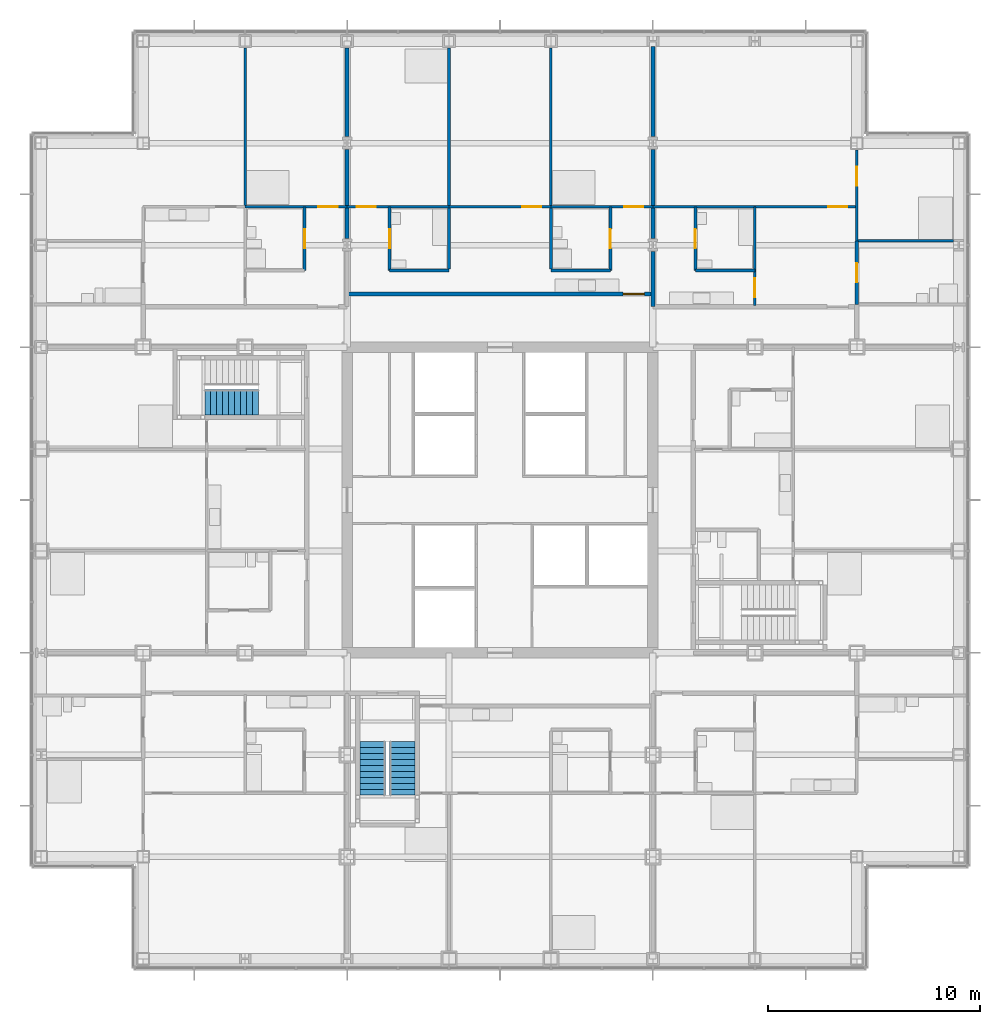
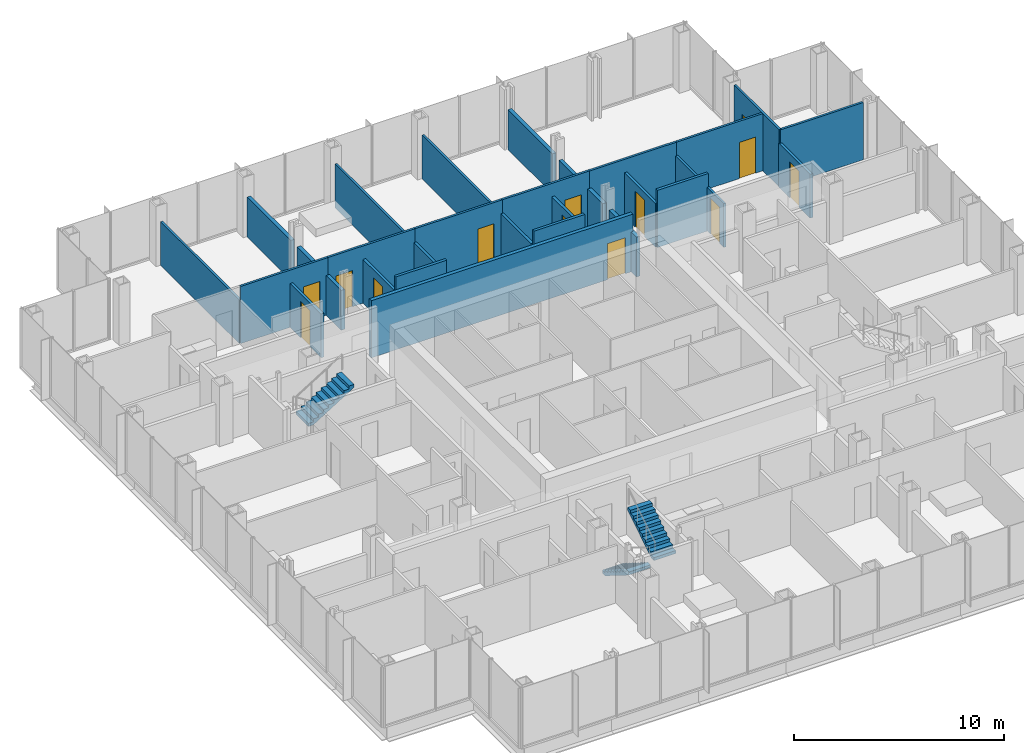
# One storey, part 17 of 21: 28 walls, 13 doors, 3 stair flights, 13 openings, 2 elements without a shape of their own.
"""IFC4 building model written with IfcOpenShell, lengths in metres."""

import ifcopenshell
import ifcopenshell.guid

model = None  # the IFC model being written
_history = None  # IfcOwnerHistory: only IFC2X3 demands one
_inside = {}  # id of a spatial element -> (the spatial element, [elements in it])
_under = {}  # id of a project, library or spatial element -> (it, [spatial elements below it])
_declared = {}  # id of a project -> (the project, [libraries it declares])
_typed = {}  # id of a type object -> (the type object, [elements of that type])
_made_of = {}  # id of a material, layer set ... -> (it, [elements and type objects made of it])


def new_model(schema):
    """Start an empty IFC model of exactly this schema.

    Asked for "IFC4X3", IfcOpenShell would pick the latest addendum, in which some entities
    have other attributes; the version numbers below select the first issue.
    IFC2X3 requires an IfcOwnerHistory on every rooted entity: one is made here for all.
    """
    global model, _history
    if schema == "IFC4X3":
        model = ifcopenshell.file(schema_version=(4, 3, 0, 0))
    else:
        model = ifcopenshell.file(schema=schema)
    _inside.clear()
    _under.clear()
    _declared.clear()
    _typed.clear()
    _made_of.clear()
    _history = None
    if model.schema == "IFC2X3":
        org = make("IfcOrganization", Name="unknown")
        user = make(
            "IfcPersonAndOrganization",
            ThePerson=make("IfcPerson", FamilyName="unknown"),
            TheOrganization=org,
        )
        app = make(
            "IfcApplication",
            ApplicationDeveloper=org,
            Version="unknown",
            ApplicationFullName="unknown",
            ApplicationIdentifier="unknown",
        )
        _history = make(
            "IfcOwnerHistory",
            OwningUser=user,
            OwningApplication=app,
            ChangeAction="ADDED",
            CreationDate=0,
        )
    return model


def make(cls, **values):
    """One entity of the class cls with the attributes given. An attribute that is None is left unset."""
    return model.create_entity(
        cls, **{name: value for name, value in values.items() if value is not None}
    )


def rooted(cls, **values):
    """An entity with a GlobalId (a new one), such as an element, a storey or a relation."""
    return make(cls, GlobalId=ifcopenshell.guid.new(), OwnerHistory=_history, **values)


def si_unit(unit_type, name, prefix=None):
    """IfcSIUnit, for example si_unit("LENGTHUNIT", "METRE", prefix="MILLI")."""
    return make("IfcSIUnit", UnitType=unit_type, Prefix=prefix, Name=name)


def assignment(units):
    """IfcUnitAssignment: the units of a project."""
    return None if units is None else make("IfcUnitAssignment", Units=units)


def point(xyz):
    """IfcCartesianPoint."""
    return None if xyz is None else make("IfcCartesianPoint", Coordinates=xyz)


def direction(xyz):
    """IfcDirection."""
    return None if xyz is None else make("IfcDirection", DirectionRatios=xyz)


def frame(location, z_axis=None, x_axis=None):
    """IfcAxis2Placement3D, a coordinate frame: its origin and axes. An axis left out is left unset."""
    return make(
        "IfcAxis2Placement3D",
        Location=point(location),
        Axis=direction(z_axis),
        RefDirection=direction(x_axis),
    )


def frame_2d(location, x_axis=None):
    """IfcAxis2Placement2D, a coordinate frame in the plane: its origin and x axis."""
    return make(
        "IfcAxis2Placement2D", Location=point(location), RefDirection=direction(x_axis)
    )


def origin():
    """The frame at (0, 0, 0) with its axes left unset."""
    return frame((0.0, 0.0, 0.0))


def place(relative_to, where):
    """IfcLocalPlacement: puts the frame where relative to a parent placement (None: the world)."""
    return make(
        "IfcLocalPlacement", PlacementRelTo=relative_to, RelativePlacement=where
    )


def context(
    kind, dimensions, precision=None, world=None, true_north=None, identifier=None
):
    """IfcGeometricRepresentationContext, for example the 3D "Model" context."""
    return make(
        "IfcGeometricRepresentationContext",
        ContextIdentifier=identifier,
        ContextType=kind,
        CoordinateSpaceDimension=dimensions,
        Precision=precision,
        WorldCoordinateSystem=world,
        TrueNorth=true_north,
    )


def subcontext(parent, identifier, kind, view, scale=None):
    """IfcGeometricRepresentationSubContext, for example "Body" below "Model"."""
    return make(
        "IfcGeometricRepresentationSubContext",
        ContextIdentifier=identifier,
        ContextType=kind,
        ParentContext=parent,
        TargetScale=scale,
        TargetView=view,
    )


def project(units=None, contexts=None):
    """IfcProject with its units and contexts."""
    return rooted(
        "IfcProject",
        Name="project",
        RepresentationContexts=contexts,
        UnitsInContext=assignment(units),
    )


def spatial(cls, under=None, at=None, **own):
    """A site, building, storey or space (cls), placed at a placement, below another one or the project."""
    s = rooted(cls, ObjectPlacement=at, **own)
    if under is not None:
        _under.setdefault(under.id(), (under, []))[1].append(s)
    return s


def polyline(points):
    """IfcPolyline through the points."""
    return make("IfcPolyline", Points=[point(p) for p in points])


def profile(cls, at=None, kind="AREA", **sizes):
    """A parametric profile (cls). Its sizes go by their IFC names, for example OverallWidth=200.0."""
    return make(cls, ProfileType=kind, Position=at, **sizes)


def rectangle(**sizes):
    """IfcRectangleProfileDef."""
    return profile("IfcRectangleProfileDef", **sizes)


def outline(outer, holes=None, kind="AREA"):
    """IfcArbitraryClosedProfileDef: a profile drawn as a closed curve; with holes, ...WithVoids."""
    if holes is None:
        return make("IfcArbitraryClosedProfileDef", ProfileType=kind, OuterCurve=outer)
    return make(
        "IfcArbitraryProfileDefWithVoids",
        ProfileType=kind,
        OuterCurve=outer,
        InnerCurves=holes,
    )


def extrude(swept, where, along, depth):
    """IfcExtrudedAreaSolid: the profile swept, set in the frame where, extruded along a direction by depth."""
    return make(
        "IfcExtrudedAreaSolid",
        SweptArea=swept,
        Position=where,
        ExtrudedDirection=direction(along),
        Depth=depth,
    )


def shape(context_of_items, identifier, shape_type, items):
    """IfcShapeRepresentation: the items that make up one representation, for example the "Body"."""
    return make(
        "IfcShapeRepresentation",
        ContextOfItems=context_of_items,
        RepresentationIdentifier=identifier,
        RepresentationType=shape_type,
        Items=items,
    )


def material(Name=None, Category=None):
    """IfcMaterial."""
    return make("IfcMaterial", Name=Name, Category=Category)


def layer(
    of_material, thickness, ventilated=None, Name=None, Category=None, Priority=None
):
    """IfcMaterialLayer: one layer of a wall or slab, of a material (None: an air gap)."""
    return make(
        "IfcMaterialLayer",
        Material=of_material,
        LayerThickness=thickness,
        IsVentilated=ventilated,
        Name=Name,
        Category=Category,
        Priority=Priority,
    )


def layer_set(layers, Name=None):
    """IfcMaterialLayerSet."""
    return make("IfcMaterialLayerSet", MaterialLayers=layers, LayerSetName=Name)


def made_of(thing, what):
    """Note that an element or type object is made of a material, layer set ...; save() writes the relation."""
    if what is not None:
        _made_of.setdefault(what.id(), (what, []))[1].append(thing)
    return thing


def type_object(cls, material=None, **own):
    """A type object (cls), such as IfcWallType, which elements share."""
    return made_of(rooted(cls, **own), material)


def element(
    cls,
    number,
    at=None,
    inside=None,
    cuts=None,
    type_object=None,
    material=None,
    context=None,
    identifier="Body",
    shape_type=None,
    held_by="IfcProductDefinitionShape",
    body=None,
    shapes=None,
    **own,
):
    """One element of the class cls, such as IfcWall. Its Tag is "e" and its number.

    at: its placement. inside: the storey or other place that contains it. cuts: it is an
    opening in that element (IfcRelVoidsElement). A single representation is given by context,
    identifier, shape_type and body (its items); several are given by shapes. held_by: the class
    of the entity that holds the representations. save() writes the other relations.
    """
    e = rooted(cls, Tag="e%d" % number, ObjectPlacement=at, **own)
    if body is not None:
        shapes = [shape(context, identifier, shape_type, body)]
    if shapes is not None:
        e.Representation = make(held_by, Representations=shapes)
    if inside is not None:
        _inside.setdefault(inside.id(), (inside, []))[1].append(e)
    if cuts is not None:
        rooted(
            "IfcRelVoidsElement", RelatingBuildingElement=cuts, RelatedOpeningElement=e
        )
    if type_object is not None:
        _typed.setdefault(type_object.id(), (type_object, []))[1].append(e)
    return made_of(e, material)


def fill(opening, filler):
    """IfcRelFillsElement: the door or window that sits in an opening."""
    return rooted(
        "IfcRelFillsElement",
        RelatingOpeningElement=opening,
        RelatedBuildingElement=filler,
    )


def aggregate(whole, parts):
    """IfcRelAggregates: a whole, such as a stair, and the parts it consists of."""
    return rooted("IfcRelAggregates", RelatingObject=whole, RelatedObjects=parts)


def save(model, path):
    """Write the relations noted so far, then the file.

    IfcRelAggregates (storeys below a building ...), IfcRelContainedInSpatialStructure (elements
    in a storey), IfcRelDefinesByType, IfcRelAssociatesMaterial and IfcRelDeclares: one each for
    every whole, place, type object, material and project.
    """
    for whole, parts in _under.values():
        aggregate(whole, parts)
    for where, things in _inside.values():
        rooted(
            "IfcRelContainedInSpatialStructure",
            RelatedElements=things,
            RelatingStructure=where,
        )
    for kind, things in _typed.values():
        rooted("IfcRelDefinesByType", RelatedObjects=things, RelatingType=kind)
    for what, things in _made_of.values():
        rooted("IfcRelAssociatesMaterial", RelatedObjects=things, RelatingMaterial=what)
    for by, libraries in _declared.values():
        rooted("IfcRelDeclares", RelatingContext=by, RelatedDefinitions=libraries)
    model.write(path)


model = new_model("IFC4")

# Units and contexts
model_context = context("Model", 3, precision=1e-05, world=origin(), true_north=direction((0.0, 1.0)))
body_context = subcontext(model_context, "Body", "Model", "MODEL_VIEW")
ifc_project = project(units=[si_unit("LENGTHUNIT", "METRE"), si_unit("AREAUNIT", "SQUARE_METRE"), si_unit("VOLUMEUNIT", "CUBIC_METRE"), si_unit("PLANEANGLEUNIT", "RADIAN"), si_unit("MASSUNIT", "GRAM", prefix="KILO")], contexts=[model_context])

# Site, building, storey
site_placement = place(None, origin())
site = spatial("IfcSite", under=ifc_project, at=site_placement, CompositionType="ELEMENT")
building_placement = place(site_placement, origin())
building = spatial("IfcBuilding", under=site, at=building_placement, Name="Kvirike Care Tower", CompositionType="ELEMENT")
storey_placement = place(building_placement, frame((0.0, 0.0, 58.5)))
storey = spatial("IfcBuildingStorey", under=building, at=storey_placement, Name="L15", CompositionType="ELEMENT", Elevation=58.5)

# Wall, opening, door
ifc_material_1 = material(Name="Moisture-resistant board partition", Category="gypsum")
ifc_layer_1 = layer(ifc_material_1, 0.14990234375)
ifc_layer_set_1 = layer_set([ifc_layer_1], Name="BATHROOM WALL 150")
wall_type_1 = type_object("IfcWallType", Name="BATHROOM WALL 150", PredefinedType="PARTITIONING", material=ifc_layer_set_1)
wall_1_placement = place(storey_placement, frame((12.39990234375, 49.800048828125, 0.0), z_axis=(0.0, 0.0, 1.0), x_axis=(0.0, -1.0, 0.0)))
wall_1 = element("IfcWall", 1, at=wall_1_placement, inside=storey, type_object=wall_type_1, Name="Bathroom Wall 150 L15", PredefinedType="PARTITIONING", context=body_context, shape_type="SweptSolid", body=[
    extrude(rectangle(XDim=3.0, YDim=0.14990234375, at=frame_2d((1.5, 0.0))), origin(), (0.0, 0.0, 1.0), 2.550048828125),
])
opening_1_placement = place(wall_1_placement, frame((1.050048828125, 0.0, 0.0)))
opening_1 = element("IfcOpeningElement", 2, at=opening_1_placement, cuts=wall_1, Name="Opening 15-015", PredefinedType="OPENING", context=body_context, shape_type="SweptSolid", body=[
    extrude(rectangle(XDim=0.89990234375, YDim=2.10009765625, at=frame_2d((0.449951171875, 1.050048828125))), frame((0.0, 0.08544921875, 0.0), z_axis=(0.0, -1.0, 0.0), x_axis=(1.0, 0.0, 0.0)), (0.0, 0.0, 1.0), 0.1708984375),
])
ifc_material_2 = material(Name="Timber door set", Category="wood")
door_type_1 = type_object("IfcDoorType", Name="BATHROOM DOOR 900", OperationType="SINGLE_SWING_RIGHT", PredefinedType="DOOR", material=ifc_material_2)
door_1_placement = place(opening_1_placement, frame((0.89990234375, 0.0, 0.0), z_axis=(0.0, 0.0, 1.0), x_axis=(-1.0, 0.0, 0.0)))
door_1 = element("IfcDoor", 3, at=door_1_placement, inside=storey, type_object=door_type_1, Name="Shower room door", OperationType="SINGLE_SWING_LEFT", OverallHeight=2.10009765625, OverallWidth=0.89990234375, PredefinedType="DOOR", context=body_context, shape_type="SweptSolid", body=[
    extrude(rectangle(XDim=0.89990234375, YDim=2.10009765625, at=frame_2d((0.449951171875, 1.050048828125))), frame((0.0, 0.02197265625, 0.0), z_axis=(0.0, -1.0, 0.0), x_axis=(1.0, 0.0, 0.0)), (0.0, 0.0, 1.0), 0.0439453125),
])
fill(opening_1, door_1)

wall_2_placement = place(storey_placement, frame((26.800048828125, 49.800048828125, 0.0), z_axis=(0.0, 0.0, 1.0), x_axis=(0.0, -1.0, 0.0)))
wall_2 = element("IfcWall", 4, at=wall_2_placement, inside=storey, type_object=wall_type_1, Name="Bathroom Wall 150 L15", PredefinedType="PARTITIONING", context=body_context, shape_type="SweptSolid", body=[
    extrude(rectangle(XDim=3.0, YDim=0.14990234375, at=frame_2d((1.5, 0.0))), origin(), (0.0, 0.0, 1.0), 2.550048828125),
])
opening_2_placement = place(wall_2_placement, frame((1.050048828125, 0.0, 0.0)))
opening_2 = element("IfcOpeningElement", 5, at=opening_2_placement, cuts=wall_2, Name="Opening 15-027", PredefinedType="OPENING", context=body_context, shape_type="SweptSolid", body=[
    extrude(rectangle(XDim=0.89990234375, YDim=2.10009765625, at=frame_2d((0.449951171875, 1.050048828125))), frame((0.0, 0.08544921875, 0.0), z_axis=(0.0, -1.0, 0.0), x_axis=(1.0, 0.0, 0.0)), (0.0, 0.0, 1.0), 0.1708984375),
])
door_2_placement = place(opening_2_placement, frame((0.89990234375, 0.0, 0.0), z_axis=(0.0, 0.0, 1.0), x_axis=(-1.0, 0.0, 0.0)))
door_2 = element("IfcDoor", 6, at=door_2_placement, inside=storey, type_object=door_type_1, Name="Shower room door", OperationType="SINGLE_SWING_RIGHT", OverallHeight=2.10009765625, OverallWidth=0.89990234375, PredefinedType="DOOR", context=body_context, shape_type="SweptSolid", body=[
    extrude(rectangle(XDim=0.89990234375, YDim=2.10009765625, at=frame_2d((0.449951171875, 1.050048828125))), frame((0.0, 0.02197265625, 0.0), z_axis=(0.0, -1.0, 0.0), x_axis=(1.0, 0.0, 0.0)), (0.0, 0.0, 1.0), 0.0439453125),
])
fill(opening_2, door_2)

# Wall
wall_3_placement = place(storey_placement, frame((26.800048828125, 46.800048828125, 0.0), z_axis=(0.0, 0.0, 1.0), x_axis=(-1.0, 0.0, 0.0)))
element("IfcWall", 7, at=wall_3_placement, inside=storey, type_object=wall_type_1, Name="Bathroom Wall 150 L15", PredefinedType="PARTITIONING", context=body_context, shape_type="SweptSolid", body=[
    extrude(rectangle(XDim=2.800048828125, YDim=0.14990234375, at=frame_2d((1.39990234375, 0.0))), origin(), (0.0, 0.0, 1.0), 3.330078125),
])

# Wall, opening, door
wall_4_placement = place(storey_placement, frame((16.39990234375, 49.800048828125, 0.0), z_axis=(0.0, 0.0, 1.0), x_axis=(0.0, -1.0, 0.0)))
wall_4 = element("IfcWall", 8, at=wall_4_placement, inside=storey, type_object=wall_type_1, Name="Bathroom Wall 150 L15", PredefinedType="PARTITIONING", context=body_context, shape_type="SweptSolid", body=[
    extrude(rectangle(XDim=3.0, YDim=0.14990234375, at=frame_2d((1.5, 0.0))), origin(), (0.0, 0.0, 1.0), 2.550048828125),
])
opening_3_placement = place(wall_4_placement, frame((1.050048828125, 0.0, 0.0)))
opening_3 = element("IfcOpeningElement", 9, at=opening_3_placement, cuts=wall_4, Name="Opening 15-028", PredefinedType="OPENING", context=body_context, shape_type="SweptSolid", body=[
    extrude(rectangle(XDim=0.89990234375, YDim=2.10009765625, at=frame_2d((0.449951171875, 1.050048828125))), frame((0.0, 0.08544921875, 0.0), z_axis=(0.0, -1.0, 0.0), x_axis=(1.0, 0.0, 0.0)), (0.0, 0.0, 1.0), 0.1708984375),
])
door_3_placement = place(opening_3_placement, origin())
door_3 = element("IfcDoor", 10, at=door_3_placement, inside=storey, type_object=door_type_1, Name="Bathroom door", OperationType="SINGLE_SWING_RIGHT", OverallHeight=2.10009765625, OverallWidth=0.89990234375, PredefinedType="DOOR", context=body_context, shape_type="SweptSolid", body=[
    extrude(rectangle(XDim=0.89990234375, YDim=2.10009765625, at=frame_2d((0.449951171875, 1.050048828125))), frame((0.0, 0.02197265625, 0.0), z_axis=(0.0, -1.0, 0.0), x_axis=(1.0, 0.0, 0.0)), (0.0, 0.0, 1.0), 0.0439453125),
])
fill(opening_3, door_3)

# Wall
wall_5_placement = place(storey_placement, frame((19.199951171875, 46.800048828125, 0.0), z_axis=(0.0, 0.0, 1.0), x_axis=(-1.0, 0.0, 0.0)))
element("IfcWall", 11, at=wall_5_placement, inside=storey, type_object=wall_type_1, Name="Bathroom Wall 150 L15", PredefinedType="PARTITIONING", context=body_context, shape_type="SweptSolid", body=[
    extrude(rectangle(XDim=2.800048828125, YDim=0.14990234375, at=frame_2d((1.39990234375, 0.0))), origin(), (0.0, 0.0, 1.0), 3.330078125),
])

# Wall, opening, door
wall_6_placement = place(storey_placement, frame((38.39990234375, 48.199951171875, 0.0), z_axis=(0.0, 0.0, 1.0), x_axis=(0.0, -1.0, 0.0)))
wall_6 = element("IfcWall", 12, at=wall_6_placement, inside=storey, type_object=wall_type_1, Name="Bathroom Wall 150 L15", PredefinedType="PARTITIONING", context=body_context, shape_type="SweptSolid", body=[
    extrude(rectangle(XDim=3.0, YDim=0.14990234375, at=frame_2d((1.5, 0.0))), origin(), (0.0, 0.0, 1.0), 2.550048828125),
])
opening_4_placement = place(wall_6_placement, frame((1.050048828125, 0.0, 0.0)))
opening_4 = element("IfcOpeningElement", 13, at=opening_4_placement, cuts=wall_6, Name="Opening 15-047", PredefinedType="OPENING", context=body_context, shape_type="SweptSolid", body=[
    extrude(rectangle(XDim=0.89990234375, YDim=2.10009765625, at=frame_2d((0.449951171875, 1.050048828125))), frame((0.0, 0.08544921875, 0.0), z_axis=(0.0, -1.0, 0.0), x_axis=(1.0, 0.0, 0.0)), (0.0, 0.0, 1.0), 0.1708984375),
])
door_4_placement = place(opening_4_placement, origin())
door_4 = element("IfcDoor", 14, at=door_4_placement, inside=storey, type_object=door_type_1, Name="Shower room door", OperationType="SINGLE_SWING_LEFT", OverallHeight=2.10009765625, OverallWidth=0.89990234375, PredefinedType="DOOR", context=body_context, shape_type="SweptSolid", body=[
    extrude(rectangle(XDim=0.89990234375, YDim=2.10009765625, at=frame_2d((0.449951171875, 1.050048828125))), frame((0.0, 0.02197265625, 0.0), z_axis=(0.0, -1.0, 0.0), x_axis=(1.0, 0.0, 0.0)), (0.0, 0.0, 1.0), 0.0439453125),
])
fill(opening_4, door_4)

wall_7_placement = place(storey_placement, frame((30.800048828125, 49.800048828125, 0.0), z_axis=(0.0, 0.0, 1.0), x_axis=(0.0, -1.0, 0.0)))
wall_7 = element("IfcWall", 15, at=wall_7_placement, inside=storey, type_object=wall_type_1, Name="Bathroom Wall 150 L15", PredefinedType="PARTITIONING", context=body_context, shape_type="SweptSolid", body=[
    extrude(rectangle(XDim=3.0, YDim=0.14990234375, at=frame_2d((1.5, 0.0))), origin(), (0.0, 0.0, 1.0), 2.550048828125),
])
opening_5_placement = place(wall_7_placement, frame((1.050048828125, 0.0, 0.0)))
opening_5 = element("IfcOpeningElement", 16, at=opening_5_placement, cuts=wall_7, Name="Opening 15-048", PredefinedType="OPENING", context=body_context, shape_type="SweptSolid", body=[
    extrude(rectangle(XDim=0.89990234375, YDim=2.10009765625, at=frame_2d((0.449951171875, 1.050048828125))), frame((0.0, 0.08544921875, 0.0), z_axis=(0.0, -1.0, 0.0), x_axis=(1.0, 0.0, 0.0)), (0.0, 0.0, 1.0), 0.1708984375),
])
door_5_placement = place(opening_5_placement, origin())
door_5 = element("IfcDoor", 17, at=door_5_placement, inside=storey, type_object=door_type_1, Name="Bathroom door", OperationType="SINGLE_SWING_RIGHT", OverallHeight=2.10009765625, OverallWidth=0.89990234375, PredefinedType="DOOR", context=body_context, shape_type="SweptSolid", body=[
    extrude(rectangle(XDim=0.89990234375, YDim=2.10009765625, at=frame_2d((0.449951171875, 1.050048828125))), frame((0.0, 0.02197265625, 0.0), z_axis=(0.0, -1.0, 0.0), x_axis=(1.0, 0.0, 0.0)), (0.0, 0.0, 1.0), 0.0439453125),
])
fill(opening_5, door_5)

# Walls
wall_8_placement = place(storey_placement, frame((33.60009765625, 46.800048828125, 0.0), z_axis=(0.0, 0.0, 1.0), x_axis=(-1.0, 0.0, 0.0)))
element("IfcWall", 18, at=wall_8_placement, inside=storey, type_object=wall_type_1, Name="Bathroom Wall 150 L15", PredefinedType="PARTITIONING", context=body_context, shape_type="SweptSolid", body=[
    extrude(rectangle(XDim=2.800048828125, YDim=0.14990234375, at=frame_2d((1.39990234375, 0.0))), origin(), (0.0, 0.0, 1.0), 3.330078125),
])
for number, where, z_axis, x_axis, name in (
    (19, (24.0, 46.875, 0.0), (0.0, 0.0, 1.0), (0.0, 1.0, 0.0), "Bathroom Wall 150 L15"),
    (20, (19.199951171875, 49.739990234375, 0.0), (0.0, 0.0, 1.0), (0.0, -1.0, 0.0), "Bathroom Wall 150 L15"),
):
    element("IfcWall", number, at=place(storey_placement, frame(where, z_axis=z_axis, x_axis=x_axis)), inside=storey, type_object=wall_type_1, Name=name, PredefinedType="PARTITIONING", context=body_context, shape_type="SweptSolid", body=[
        extrude(rectangle(XDim=2.864990234375, YDim=0.14990234375, at=frame_2d((1.4326171875, 0.0))), origin(), (0.0, 0.0, 1.0), 2.550048828125),
    ])

# Wall, opening, door
ifc_material_3 = material(Name="Plasterboard corridor wall", Category="gypsum")
ifc_layer_2 = layer(ifc_material_3, 0.199951171875)
ifc_layer_set_2 = layer_set([ifc_layer_2], Name="CORRIDOR WALL 200")
wall_type_2 = type_object("IfcWallType", Name="CORRIDOR WALL 200", PredefinedType="PARTITIONING", material=ifc_layer_set_2)
wall_9_placement = place(storey_placement, frame((28.800048828125, 45.699951171875, 0.0), z_axis=(0.0, 0.0, 1.0), x_axis=(-1.0, 0.0, 0.0)))
wall_9 = element("IfcWall", 21, at=wall_9_placement, inside=storey, type_object=wall_type_2, Name="Corridor Wall 200 L15", PredefinedType="PARTITIONING", context=body_context, shape_type="SweptSolid", body=[
    extrude(rectangle(XDim=14.400146484375, YDim=0.199951171875, at=frame_2d((7.2001953125, 0.0))), origin(), (0.0, 0.0, 1.0), 3.330078125),
])
opening_6_placement = place(wall_9_placement, frame((0.39990234375, 0.0, 0.0)))
opening_6 = element("IfcOpeningElement", 22, at=opening_6_placement, cuts=wall_9, Name="Opening 15-032", PredefinedType="OPENING", context=body_context, shape_type="SweptSolid", body=[
    extrude(rectangle(XDim=1.0, YDim=2.10009765625, at=frame_2d((0.5, 1.050048828125))), frame((0.0, 0.110595703125, 0.0), z_axis=(0.0, -1.0, 0.0), x_axis=(1.0, 0.0, 0.0)), (0.0, 0.0, 1.0), 0.220947265625),
])
ifc_material_4 = material(Name="Timber door set", Category="wood")
door_type_2 = type_object("IfcDoorType", Name="FLAT ENTRANCE DOOR 1000", OperationType="SINGLE_SWING_LEFT", PredefinedType="DOOR", material=ifc_material_4)
door_6_placement = place(opening_6_placement, frame((1.0, 0.0, 0.0), z_axis=(0.0, 0.0, 1.0), x_axis=(-1.0, 0.0, 0.0)))
door_6 = element("IfcDoor", 23, at=door_6_placement, inside=storey, type_object=door_type_2, Name="Two-bedroom apartment entrance", OperationType="SINGLE_SWING_LEFT", OverallHeight=2.10009765625, OverallWidth=1.0, PredefinedType="DOOR", context=body_context, shape_type="SweptSolid", body=[
    extrude(rectangle(XDim=1.0, YDim=2.10009765625, at=frame_2d((0.5, 1.050048828125))), frame((0.0, 0.02685546875, 0.0), z_axis=(0.0, -1.0, 0.0), x_axis=(1.0, 0.0, 0.0)), (0.0, 0.0, 1.0), 0.053955078125),
])
fill(opening_6, door_6)

ifc_material_5 = material(Name="Plasterboard partition", Category="gypsum")
ifc_layer_3 = layer(ifc_material_5, 0.1201171875)
ifc_layer_set_3 = layer_set([ifc_layer_3], Name="PARTITION 120")
wall_type_3 = type_object("IfcWallType", Name="PARTITION 120", PredefinedType="PARTITIONING", material=ifc_layer_set_3)
wall_10_placement = place(storey_placement, frame((14.39990234375, 49.800048828125, 0.0), z_axis=(0.0, 0.0, 1.0), x_axis=(-1.0, 0.0, 0.0)))
wall_10 = element("IfcWall", 24, at=wall_10_placement, inside=storey, type_object=wall_type_3, Name="Partition 120 L15", PredefinedType="PARTITIONING", context=body_context, shape_type="SweptSolid", body=[
    extrude(rectangle(XDim=4.7998046875, YDim=0.1201171875, at=frame_2d((2.39990234375, 0.0))), origin(), (0.0, 0.0, 1.0), 3.330078125),
])
opening_7_placement = place(wall_10_placement, frame((0.449951171875, 0.0, 0.0)))
opening_7 = element("IfcOpeningElement", 25, at=opening_7_placement, cuts=wall_10, Name="Opening 15-018", PredefinedType="OPENING", context=body_context, shape_type="SweptSolid", body=[
    extrude(rectangle(XDim=0.89990234375, YDim=2.10009765625, at=frame_2d((0.449951171875, 1.050048828125))), frame((0.0, 0.070556640625, 0.0), z_axis=(0.0, -1.0, 0.0), x_axis=(1.0, 0.0, 0.0)), (0.0, 0.0, 1.0), 0.14111328125),
])
ifc_material_6 = material(Name="Timber door set", Category="wood")
door_type_3 = type_object("IfcDoorType", Name="INTERNAL DOOR 900", OperationType="SINGLE_SWING_LEFT", PredefinedType="DOOR", material=ifc_material_6)
door_7_placement = place(opening_7_placement, origin())
door_7 = element("IfcDoor", 26, at=door_7_placement, inside=storey, type_object=door_type_3, Name="Apartment bedroom door", OperationType="SINGLE_SWING_RIGHT", OverallHeight=2.10009765625, OverallWidth=0.89990234375, PredefinedType="DOOR", context=body_context, shape_type="SweptSolid", body=[
    extrude(rectangle(XDim=0.89990234375, YDim=2.10009765625, at=frame_2d((0.449951171875, 1.050048828125))), frame((0.0, 0.02197265625, 0.0), z_axis=(0.0, -1.0, 0.0), x_axis=(1.0, 0.0, 0.0)), (0.0, 0.0, 1.0), 0.0439453125),
])
fill(opening_7, door_7)

# Wall
wall_11_placement = place(storey_placement, frame((9.60009765625, 57.280029296875, 0.0), z_axis=(0.0, 0.0, 1.0), x_axis=(0.0, -1.0, 0.0)))
element("IfcWall", 27, at=wall_11_placement, inside=storey, type_object=wall_type_3, Name="Partition 120 L15", PredefinedType="PARTITIONING", context=body_context, shape_type="SweptSolid", body=[
    extrude(rectangle(XDim=7.47998046875, YDim=0.1201171875, at=frame_2d((3.739990234375, 0.0))), origin(), (0.0, 0.0, 1.0), 2.550048828125),
])

# Wall, opening, door
wall_12_placement = place(storey_placement, frame((28.800048828125, 49.800048828125, 0.0), z_axis=(0.0, 0.0, 1.0), x_axis=(-1.0, 0.0, 0.0)))
wall_12 = element("IfcWall", 28, at=wall_12_placement, inside=storey, type_object=wall_type_3, Name="Partition 120 L15", PredefinedType="PARTITIONING", context=body_context, shape_type="SweptSolid", body=[
    extrude(rectangle(XDim=4.800048828125, YDim=0.1201171875, at=frame_2d((2.39990234375, 0.0))), origin(), (0.0, 0.0, 1.0), 3.330078125),
])
opening_8_placement = place(wall_12_placement, frame((0.449951171875, 0.0, 0.0)))
opening_8 = element("IfcOpeningElement", 29, at=opening_8_placement, cuts=wall_12, Name="Opening 15-029", PredefinedType="OPENING", context=body_context, shape_type="SweptSolid", body=[
    extrude(rectangle(XDim=0.89990234375, YDim=2.10009765625, at=frame_2d((0.449951171875, 1.050048828125))), frame((0.0, 0.070556640625, 0.0), z_axis=(0.0, -1.0, 0.0), x_axis=(1.0, 0.0, 0.0)), (0.0, 0.0, 1.0), 0.14111328125),
])
door_8_placement = place(opening_8_placement, frame((0.89990234375, 0.0, 0.0), z_axis=(0.0, 0.0, 1.0), x_axis=(-1.0, 0.0, 0.0)))
door_8 = element("IfcDoor", 30, at=door_8_placement, inside=storey, type_object=door_type_3, Name="Apartment bedroom door", OperationType="SINGLE_SWING_LEFT", OverallHeight=2.10009765625, OverallWidth=0.89990234375, PredefinedType="DOOR", context=body_context, shape_type="SweptSolid", body=[
    extrude(rectangle(XDim=0.89990234375, YDim=2.10009765625, at=frame_2d((0.449951171875, 1.050048828125))), frame((0.0, 0.02197265625, 0.0), z_axis=(0.0, -1.0, 0.0), x_axis=(1.0, 0.0, 0.0)), (0.0, 0.0, 1.0), 0.0439453125),
])
fill(opening_8, door_8)

wall_13_placement = place(storey_placement, frame((24.0, 49.800048828125, 0.0), z_axis=(0.0, 0.0, 1.0), x_axis=(-1.0, 0.0, 0.0)))
wall_13 = element("IfcWall", 31, at=wall_13_placement, inside=storey, type_object=wall_type_3, Name="Partition 120 L15", PredefinedType="PARTITIONING", context=body_context, shape_type="SweptSolid", body=[
    extrude(rectangle(XDim=4.800048828125, YDim=0.1201171875, at=frame_2d((2.39990234375, 0.0))), origin(), (0.0, 0.0, 1.0), 3.330078125),
])
opening_9_placement = place(wall_13_placement, frame((0.449951171875, 0.0, 0.0)))
opening_9 = element("IfcOpeningElement", 32, at=opening_9_placement, cuts=wall_13, Name="Opening 15-030", PredefinedType="OPENING", context=body_context, shape_type="SweptSolid", body=[
    extrude(rectangle(XDim=0.89990234375, YDim=2.10009765625, at=frame_2d((0.449951171875, 1.050048828125))), frame((0.0, 0.070556640625, 0.0), z_axis=(0.0, -1.0, 0.0), x_axis=(1.0, 0.0, 0.0)), (0.0, 0.0, 1.0), 0.14111328125),
])
door_9_placement = place(opening_9_placement, frame((0.89990234375, 0.0, 0.0), z_axis=(0.0, 0.0, 1.0), x_axis=(-1.0, 0.0, 0.0)))
door_9 = element("IfcDoor", 33, at=door_9_placement, inside=storey, type_object=door_type_3, Name="Apartment living room door", OperationType="SINGLE_SWING_RIGHT", OverallHeight=2.10009765625, OverallWidth=0.89990234375, PredefinedType="DOOR", context=body_context, shape_type="SweptSolid", body=[
    extrude(rectangle(XDim=0.89990234375, YDim=2.10009765625, at=frame_2d((0.449951171875, 1.050048828125))), frame((0.0, 0.02197265625, 0.0), z_axis=(0.0, -1.0, 0.0), x_axis=(1.0, 0.0, 0.0)), (0.0, 0.0, 1.0), 0.0439453125),
])
fill(opening_9, door_9)

wall_14_placement = place(storey_placement, frame((19.199951171875, 49.800048828125, 0.0), z_axis=(0.0, 0.0, 1.0), x_axis=(-1.0, 0.0, 0.0)))
wall_14 = element("IfcWall", 34, at=wall_14_placement, inside=storey, type_object=wall_type_3, Name="Partition 120 L15", PredefinedType="PARTITIONING", context=body_context, shape_type="SweptSolid", body=[
    extrude(rectangle(XDim=4.800048828125, YDim=0.1201171875, at=frame_2d((2.39990234375, 0.0))), origin(), (0.0, 0.0, 1.0), 3.330078125),
])
opening_10_placement = place(wall_14_placement, frame((3.449951171875, 0.0, 0.0)))
opening_10 = element("IfcOpeningElement", 35, at=opening_10_placement, cuts=wall_14, Name="Opening 15-031", PredefinedType="OPENING", context=body_context, shape_type="SweptSolid", body=[
    extrude(rectangle(XDim=0.89990234375, YDim=2.10009765625, at=frame_2d((0.449951171875, 1.050048828125))), frame((0.0, 0.070556640625, 0.0), z_axis=(0.0, -1.0, 0.0), x_axis=(1.0, 0.0, 0.0)), (0.0, 0.0, 1.0), 0.14111328125),
])
door_10_placement = place(opening_10_placement, frame((0.89990234375, 0.0, 0.0), z_axis=(0.0, 0.0, 1.0), x_axis=(-1.0, 0.0, 0.0)))
door_10 = element("IfcDoor", 36, at=door_10_placement, inside=storey, type_object=door_type_3, Name="Apartment bedroom door", OperationType="SINGLE_SWING_RIGHT", OverallHeight=2.10009765625, OverallWidth=0.89990234375, PredefinedType="DOOR", context=body_context, shape_type="SweptSolid", body=[
    extrude(rectangle(XDim=0.89990234375, YDim=2.10009765625, at=frame_2d((0.449951171875, 1.050048828125))), frame((0.0, 0.02197265625, 0.0), z_axis=(0.0, -1.0, 0.0), x_axis=(1.0, 0.0, 0.0)), (0.0, 0.0, 1.0), 0.0439453125),
])
fill(opening_10, door_10)

# Walls
for number, where, z_axis, x_axis, name in (
    (37, (24.0, 57.280029296875, 0.0), (0.0, 0.0, 1.0), (0.0, -1.0, 0.0), "Partition 120 L15"),
    (38, (19.199951171875, 57.280029296875, 0.0), (0.0, 0.0, 1.0), (0.0, -1.0, 0.0), "Partition 120 L15"),
):
    element("IfcWall", number, at=place(storey_placement, frame(where, z_axis=z_axis, x_axis=x_axis)), inside=storey, type_object=wall_type_3, Name=name, PredefinedType="PARTITIONING", context=body_context, shape_type="SweptSolid", body=[
        extrude(rectangle(XDim=7.47998046875, YDim=0.1201171875, at=frame_2d((3.739990234375, 0.0))), origin(), (0.0, 0.0, 1.0), 2.550048828125),
    ])

# Wall, opening, door
wall_15_placement = place(storey_placement, frame((33.60009765625, 49.800048828125, 0.0), z_axis=(0.0, 0.0, 1.0), x_axis=(0.0, -1.0, 0.0)))
wall_15 = element("IfcWall", 39, at=wall_15_placement, inside=storey, type_object=wall_type_3, Name="Partition 120 L15", PredefinedType="PARTITIONING", context=body_context, shape_type="SweptSolid", body=[
    extrude(rectangle(XDim=4.650146484375, YDim=0.1201171875, at=frame_2d((2.3251953125, 0.0))), origin(), (0.0, 0.0, 1.0), 2.550048828125),
])
opening_11_placement = place(wall_15_placement, frame((3.35009765625, 0.0, 0.0)))
opening_11 = element("IfcOpeningElement", 40, at=opening_11_placement, cuts=wall_15, Name="Opening 15-049", PredefinedType="OPENING", context=body_context, shape_type="SweptSolid", body=[
    extrude(rectangle(XDim=0.89990234375, YDim=2.10009765625, at=frame_2d((0.449951171875, 1.050048828125))), frame((0.0, 0.070556640625, 0.0), z_axis=(0.0, -1.0, 0.0), x_axis=(1.0, 0.0, 0.0)), (0.0, 0.0, 1.0), 0.14111328125),
])
door_11_placement = place(opening_11_placement, frame((0.89990234375, 0.0, 0.0), z_axis=(0.0, 0.0, 1.0), x_axis=(-1.0, 0.0, 0.0)))
door_11 = element("IfcDoor", 41, at=door_11_placement, inside=storey, type_object=door_type_3, Name="Hall door", OperationType="SINGLE_SWING_RIGHT", OverallHeight=2.10009765625, OverallWidth=0.89990234375, PredefinedType="DOOR", context=body_context, shape_type="SweptSolid", body=[
    extrude(rectangle(XDim=0.89990234375, YDim=2.10009765625, at=frame_2d((0.449951171875, 1.050048828125))), frame((0.0, 0.02197265625, 0.0), z_axis=(0.0, -1.0, 0.0), x_axis=(1.0, 0.0, 0.0)), (0.0, 0.0, 1.0), 0.0439453125),
])
fill(opening_11, door_11)

# Wall
wall_16_placement = place(storey_placement, frame((42.9560546875, 48.199951171875, 0.0), z_axis=(0.0, 0.0, 1.0), x_axis=(-1.0, 0.0, 0.0)))
element("IfcWall", 42, at=wall_16_placement, inside=storey, type_object=wall_type_3, Name="Partition 120 L15", PredefinedType="PARTITIONING", context=body_context, shape_type="SweptSolid", body=[
    extrude(rectangle(XDim=4.55615234375, YDim=0.1201171875, at=frame_2d((2.278076171875, 0.0))), origin(), (0.0, 0.0, 1.0), 3.330078125),
])

# Wall, opening, door
wall_17_placement = place(storey_placement, frame((38.39990234375, 49.800048828125, 0.0), z_axis=(0.0, 0.0, 1.0), x_axis=(-1.0, 0.0, 0.0)))
wall_17 = element("IfcWall", 43, at=wall_17_placement, inside=storey, type_object=wall_type_3, Name="Partition 120 L15", PredefinedType="PARTITIONING", context=body_context, shape_type="SweptSolid", body=[
    extrude(rectangle(XDim=4.7998046875, YDim=0.1201171875, at=frame_2d((2.39990234375, 0.0))), origin(), (0.0, 0.0, 1.0), 3.330078125),
])
opening_12_placement = place(wall_17_placement, frame((0.449951171875, 0.0, 0.0)))
opening_12 = element("IfcOpeningElement", 44, at=opening_12_placement, cuts=wall_17, Name="Opening 15-050", PredefinedType="OPENING", context=body_context, shape_type="SweptSolid", body=[
    extrude(rectangle(XDim=0.89990234375, YDim=2.10009765625, at=frame_2d((0.449951171875, 1.050048828125))), frame((0.0, 0.070556640625, 0.0), z_axis=(0.0, -1.0, 0.0), x_axis=(1.0, 0.0, 0.0)), (0.0, 0.0, 1.0), 0.14111328125),
])
door_12_placement = place(opening_12_placement, origin())
door_12 = element("IfcDoor", 45, at=door_12_placement, inside=storey, type_object=door_type_3, Name="Apartment living and dining room door", OperationType="SINGLE_SWING_RIGHT", OverallHeight=2.10009765625, OverallWidth=0.89990234375, PredefinedType="DOOR", context=body_context, shape_type="SweptSolid", body=[
    extrude(rectangle(XDim=0.89990234375, YDim=2.10009765625, at=frame_2d((0.449951171875, 1.050048828125))), frame((0.0, 0.02197265625, 0.0), z_axis=(0.0, -1.0, 0.0), x_axis=(1.0, 0.0, 0.0)), (0.0, 0.0, 1.0), 0.0439453125),
])
fill(opening_12, door_12)

# Wall
wall_18_placement = place(storey_placement, frame((33.60009765625, 49.800048828125, 0.0), z_axis=(0.0, 0.0, 1.0), x_axis=(-1.0, 0.0, 0.0)))
element("IfcWall", 46, at=wall_18_placement, inside=storey, type_object=wall_type_3, Name="Partition 120 L15", PredefinedType="PARTITIONING", context=body_context, shape_type="SweptSolid", body=[
    extrude(rectangle(XDim=4.800048828125, YDim=0.1201171875, at=frame_2d((2.39990234375, 0.0))), origin(), (0.0, 0.0, 1.0), 3.330078125),
])

# Wall, opening, door
wall_19_placement = place(storey_placement, frame((38.39990234375, 52.47998046875, 0.0), z_axis=(0.0, 0.0, 1.0), x_axis=(0.0, -1.0, 0.0)))
wall_19 = element("IfcWall", 47, at=wall_19_placement, inside=storey, type_object=wall_type_3, Name="Partition 120 L15", PredefinedType="PARTITIONING", context=body_context, shape_type="SweptSolid", body=[
    extrude(rectangle(XDim=4.280029296875, YDim=0.1201171875, at=frame_2d((2.14013671875, 0.0))), origin(), (0.0, 0.0, 1.0), 3.330078125),
])
opening_13_placement = place(wall_19_placement, frame((0.780029296875, 0.0, 0.0)))
opening_13 = element("IfcOpeningElement", 48, at=opening_13_placement, cuts=wall_19, Name="Opening 15-051", PredefinedType="OPENING", context=body_context, shape_type="SweptSolid", body=[
    extrude(rectangle(XDim=0.89990234375, YDim=2.10009765625, at=frame_2d((0.449951171875, 1.050048828125))), frame((0.0, 0.070556640625, 0.0), z_axis=(0.0, -1.0, 0.0), x_axis=(1.0, 0.0, 0.0)), (0.0, 0.0, 1.0), 0.14111328125),
])
door_13_placement = place(opening_13_placement, origin())
door_13 = element("IfcDoor", 49, at=door_13_placement, inside=storey, type_object=door_type_3, Name="Connecting door", OperationType="SINGLE_SWING_RIGHT", OverallHeight=2.10009765625, OverallWidth=0.89990234375, PredefinedType="DOOR", context=body_context, shape_type="SweptSolid", body=[
    extrude(rectangle(XDim=0.89990234375, YDim=2.10009765625, at=frame_2d((0.449951171875, 1.050048828125))), frame((0.0, 0.02197265625, 0.0), z_axis=(0.0, -1.0, 0.0), x_axis=(1.0, 0.0, 0.0)), (0.0, 0.0, 1.0), 0.0439453125),
])
fill(opening_13, door_13)

# Walls
ifc_material_7 = material(Name="Plasterboard party wall", Category="gypsum")
ifc_layer_4 = layer(ifc_material_7, 0.199951171875)
ifc_layer_set_4 = layer_set([ifc_layer_4], Name="PARTY WALL 200")
wall_type_4 = type_object("IfcWallType", Name="PARTY WALL 200", PredefinedType="PARTITIONING", material=ifc_layer_set_4)
wall_20_placement = place(storey_placement, frame((14.39990234375, 48.304443359375, 0.0), z_axis=(0.0, 0.0, 1.0), x_axis=(0.0, 1.0, 0.0)))
element("IfcWall", 50, at=wall_20_placement, inside=storey, type_object=wall_type_4, Name="Party Wall 200 L15", PredefinedType="PARTITIONING", context=body_context, shape_type="SweptSolid", body=[
    extrude(rectangle(XDim=4.191162109375, YDim=0.199951171875, at=frame_2d((2.095703125, 0.0))), origin(), (0.0, 0.0, 1.0), 2.320068359375),
])
wall_21_placement = place(storey_placement, frame((14.39990234375, 53.1044921875, 0.0), z_axis=(0.0, 0.0, 1.0), x_axis=(0.0, 1.0, 0.0)))
element("IfcWall", 51, at=wall_21_placement, inside=storey, type_object=wall_type_4, Name="Party Wall 200 L15", PredefinedType="PARTITIONING", context=body_context, shape_type="SweptSolid", body=[
    extrude(rectangle(XDim=4.175537109375, YDim=0.199951171875, at=frame_2d((2.087890625, 0.0))), origin(), (0.0, 0.0, 1.0), 2.320068359375),
])
wall_22_placement = place(storey_placement, frame((28.800048828125, 45.10009765625, 0.0), z_axis=(0.0, 0.0, 1.0), x_axis=(0.0, 1.0, 0.0)))
element("IfcWall", 52, at=wall_22_placement, inside=storey, type_object=wall_type_4, Name="Party Wall 200 L15", PredefinedType="PARTITIONING", context=body_context, shape_type="SweptSolid", body=[
    extrude(rectangle(XDim=2.595458984375, YDim=0.199951171875, at=frame_2d((1.2978515625, 0.0))), origin(), (0.0, 0.0, 1.0), 2.320068359375),
])
wall_23_placement = place(storey_placement, frame((28.800048828125, 48.304443359375, 0.0), z_axis=(0.0, 0.0, 1.0), x_axis=(0.0, 1.0, 0.0)))
element("IfcWall", 53, at=wall_23_placement, inside=storey, type_object=wall_type_4, Name="Party Wall 200 L15", PredefinedType="PARTITIONING", context=body_context, shape_type="SweptSolid", body=[
    extrude(rectangle(XDim=4.191162109375, YDim=0.199951171875, at=frame_2d((2.095703125, 0.0))), origin(), (0.0, 0.0, 1.0), 2.320068359375),
])
wall_24_placement = place(storey_placement, frame((28.800048828125, 53.1044921875, 0.0), z_axis=(0.0, 0.0, 1.0), x_axis=(0.0, 1.0, 0.0)))
element("IfcWall", 54, at=wall_24_placement, inside=storey, type_object=wall_type_4, Name="Party Wall 200 L15", PredefinedType="PARTITIONING", context=body_context, shape_type="SweptSolid", body=[
    extrude(rectangle(XDim=4.25146484375, YDim=0.199951171875, at=frame_2d((2.125732421875, 0.0))), origin(), (0.0, 0.0, 1.0), 2.320068359375),
])

# Stair, stair flight
ifc_material_8 = material(Name="Concrete C35/45", Category="concrete")
stair_type = type_object("IfcStairType", Name="STAIR 20 RISERS", PredefinedType="HALF_TURN_STAIR", material=ifc_material_8)
stair_1_placement = place(storey_placement, origin())
stair_1 = element("IfcStair", 55, at=stair_1_placement, inside=storey, type_object=stair_type, Name="Stair 1 L15", PredefinedType="HALF_TURN_STAIR")
ifc_material_9 = material(Name="Concrete C35/45", Category="concrete")
stair_flight_type = type_object("IfcStairFlightType", Name="FLIGHT 10 RISERS", PredefinedType="STRAIGHT", material=ifc_material_9)
stair_flight_1_placement = place(storey_placement, frame((7.699951171875, 40.60009765625, 1.75), z_axis=(0.0, 0.0, 1.0), x_axis=(1.0, 0.0, 0.0)))
stair_flight_1 = element("IfcStairFlight", 56, at=stair_flight_1_placement, type_object=stair_flight_type, Name="Stair S1 flight 2 L15-L16", NumberOfRisers=10, NumberOfTreads=9, PredefinedType="STRAIGHT", RiserHeight=0.175, TreadLength=0.28, context=body_context, shape_type="SweptSolid", body=[
    extrude(outline(polyline([(0.0, 0.0), (0.0, 0.175048828125), (0.280029296875, 0.175048828125), (0.280029296875, 0.35009765625), (0.56005859375, 0.35009765625), (0.56005859375, 0.52490234375), (0.840087890625, 0.52490234375), (0.840087890625, 0.699951171875), (1.1201171875, 0.699951171875), (1.1201171875, 0.875), (1.39990234375, 0.875), (1.39990234375, 1.050048828125), (1.679931640625, 1.050048828125), (1.679931640625, 1.22509765625), (1.9599609375, 1.22509765625), (1.9599609375, 1.39990234375), (2.239990234375, 1.39990234375), (2.239990234375, 1.574951171875), (2.52001953125, 1.574951171875), (2.52001953125, 1.75), (2.52001953125, 1.398193359375), (0.28271484375, 0.0), (0.0, 0.0)])), frame((0.0, 0.60009765625, 0.0), z_axis=(0.0, -1.0, 0.0), x_axis=(1.0, 0.0, 0.0)), (0.0, 0.0, 1.0), 1.199951171875),
])
aggregate(stair_1, [stair_flight_1])

# Stair, stair flights
stair_2_placement = place(storey_placement, origin())
stair_2 = element("IfcStair", 57, at=stair_2_placement, inside=storey, type_object=stair_type, Name="Stair 5 L15", PredefinedType="HALF_TURN_STAIR")
stair_flight_2_placement = place(storey_placement, frame((15.60009765625, 24.6201171875, 0.0), z_axis=(0.0, 0.0, 1.0), x_axis=(0.0, -1.0, 0.0)))
stair_flight_2 = element("IfcStairFlight", 58, at=stair_flight_2_placement, type_object=stair_flight_type, Name="Stair S5 flight 1 L15-L16", NumberOfRisers=10, NumberOfTreads=9, PredefinedType="STRAIGHT", RiserHeight=0.175, TreadLength=0.28, context=body_context, shape_type="SweptSolid", body=[
    extrude(outline(polyline([(0.0, 0.0), (0.0, 0.175048828125), (0.280029296875, 0.175048828125), (0.280029296875, 0.35009765625), (0.56005859375, 0.35009765625), (0.56005859375, 0.52490234375), (0.840087890625, 0.52490234375), (0.840087890625, 0.699951171875), (1.1201171875, 0.699951171875), (1.1201171875, 0.875), (1.39990234375, 0.875), (1.39990234375, 1.050048828125), (1.679931640625, 1.050048828125), (1.679931640625, 1.22509765625), (1.9599609375, 1.22509765625), (1.9599609375, 1.39990234375), (2.239990234375, 1.39990234375), (2.239990234375, 1.574951171875), (2.52001953125, 1.574951171875), (2.52001953125, 1.75), (2.52001953125, 1.398193359375), (0.28271484375, 0.0), (0.0, 0.0)])), frame((0.0, 0.60009765625, 0.0), z_axis=(0.0, -1.0, 0.0), x_axis=(1.0, 0.0, 0.0)), (0.0, 0.0, 1.0), 1.199951171875),
])
stair_flight_3_placement = place(storey_placement, frame((17.0, 22.10009765625, 1.75), z_axis=(0.0, 0.0, 1.0), x_axis=(0.0, 1.0, 0.0)))
stair_flight_3 = element("IfcStairFlight", 59, at=stair_flight_3_placement, type_object=stair_flight_type, Name="Stair S5 flight 2 L15-L16", NumberOfRisers=10, NumberOfTreads=9, PredefinedType="STRAIGHT", RiserHeight=0.175, TreadLength=0.28, context=body_context, shape_type="SweptSolid", body=[
    extrude(outline(polyline([(0.0, 0.0), (0.0, 0.175048828125), (0.280029296875, 0.175048828125), (0.280029296875, 0.35009765625), (0.56005859375, 0.35009765625), (0.56005859375, 0.52490234375), (0.840087890625, 0.52490234375), (0.840087890625, 0.699951171875), (1.1201171875, 0.699951171875), (1.1201171875, 0.875), (1.39990234375, 0.875), (1.39990234375, 1.050048828125), (1.679931640625, 1.050048828125), (1.679931640625, 1.22509765625), (1.9599609375, 1.22509765625), (1.9599609375, 1.39990234375), (2.239990234375, 1.39990234375), (2.239990234375, 1.574951171875), (2.52001953125, 1.574951171875), (2.52001953125, 1.75), (2.52001953125, 1.398193359375), (0.28271484375, 0.0), (0.0, 0.0)])), frame((0.0, 0.60009765625, 0.0), z_axis=(0.0, -1.0, 0.0), x_axis=(1.0, 0.0, 0.0)), (0.0, 0.0, 1.0), 1.199951171875),
])
aggregate(stair_2, [stair_flight_2, stair_flight_3])

save(model, "model.ifc")
